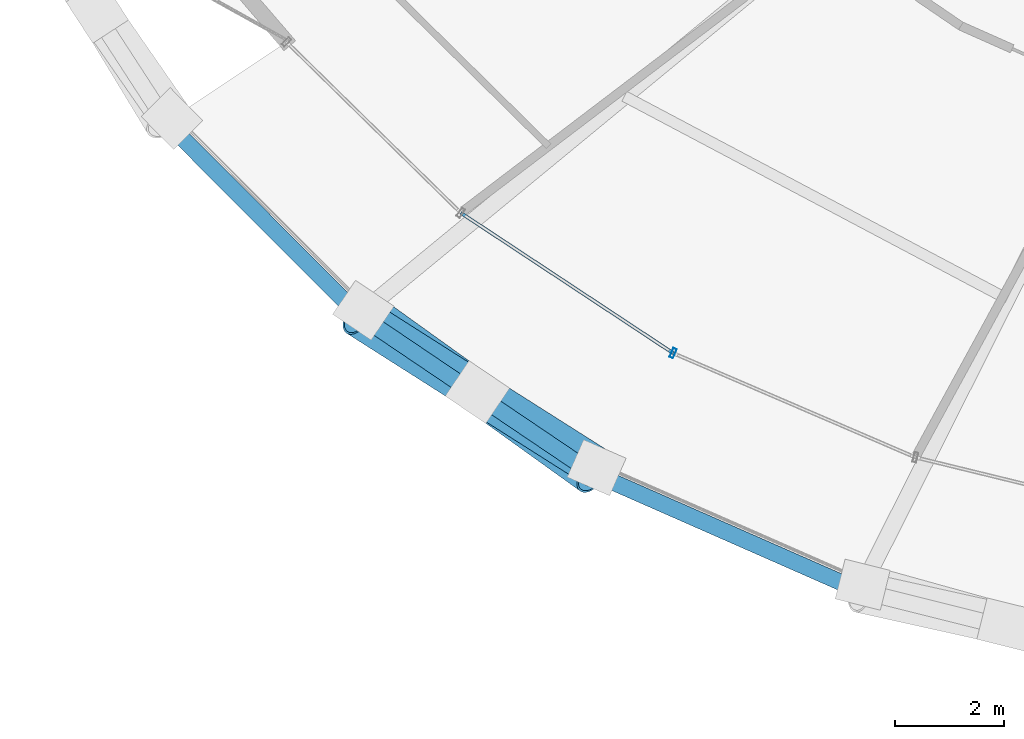
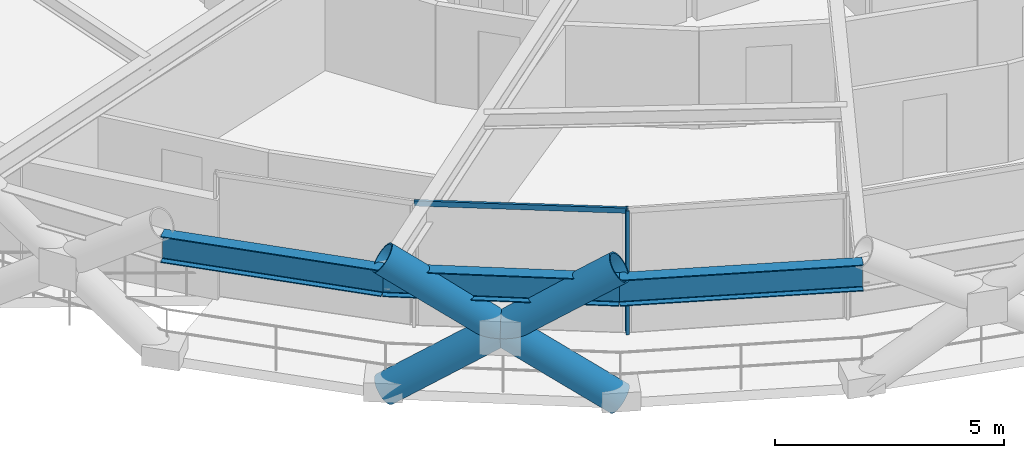
# One storey, part 1 of 19: 5 members, 3 beams, 1 element without a shape of its own.
"""IFC4 building model written with IfcOpenShell, lengths in metres."""

from ifc_helpers import new_model, si_unit, direction, frame, origin, origin_2d, place, context, subcontext, project, spatial, hollow_rectangle, hollow_circle, i_section, extrude, material, layer, layer_set, material_profile, profile_set, type_object, element, aggregate, save


model = new_model("IFC4")

# Units and contexts
model_context = context("Model", 3, precision=1e-05, world=origin(), true_north=direction((0.0, 1.0)))
body_context = subcontext(model_context, "Body", "Model", "MODEL_VIEW")
ifc_project = project(units=[si_unit("LENGTHUNIT", "METRE"), si_unit("AREAUNIT", "SQUARE_METRE"), si_unit("VOLUMEUNIT", "CUBIC_METRE"), si_unit("PLANEANGLEUNIT", "RADIAN"), si_unit("MASSUNIT", "GRAM", prefix="KILO")], contexts=[model_context])

# Site, building, storey
site_placement = place(None, origin())
site = spatial("IfcSite", under=ifc_project, at=site_placement, CompositionType="ELEMENT")
building_placement = place(site_placement, origin())
building = spatial("IfcBuilding", under=site, at=building_placement, Name="Veldorina Hangang Commons", CompositionType="ELEMENT")
storey_placement = place(building_placement, frame((0.0, 0.0, 44.800048828125)))
storey = spatial("IfcBuildingStorey", under=building, at=storey_placement, Name="L10", CompositionType="ELEMENT", Elevation=44.800048828125)

# Beams
ifc_material_1 = material(Name="Steel SM460-TMC", Category="steel")
ifc_material_profile_1 = material_profile(ifc_material_1, i_section(OverallWidth=0.300048828125, OverallDepth=0.699951171875, WebThickness=0.012939453125, FlangeThickness=0.02392578125, FilletRadius=0.02197265625, at=origin_2d()), Name="H-700x300x13x24")
ifc_profile_set_1 = profile_set([ifc_material_profile_1], Name="Steel SM460-TMC")
beam_type = type_object("IfcBeamType", Name="BM-RB700", PredefinedType="BEAM", material=ifc_profile_set_1)
beam_1_placement = place(storey_placement, frame((8.49169921875, 11.0703125, 2.989990234375), z_axis=(0.706027455436, -0.708184461966, 0.0), x_axis=(0.708184461966, 0.706027455436, 0.0)))
element("IfcBeam", 1, at=beam_1_placement, inside=storey, type_object=beam_type, Name="L10 perimeter hoop ring beam 19", PredefinedType="BEAM", context=body_context, shape_type="SweptSolid", body=[
    extrude(i_section(OverallWidth=0.300048828125, OverallDepth=0.699951171875, WebThickness=0.012939453125, FlangeThickness=0.02392578125, FilletRadius=0.02197265625, at=origin_2d()), origin(), (0.0, 0.0, 1.0), 4.980224609375),
])
beam_2_placement = place(storey_placement, frame((12.0078125, 7.54345703125, 2.989990234375), z_axis=(0.828657041131, -0.559756650861, 0.0), x_axis=(0.559756650861, 0.828657041131, 0.0)))
element("IfcBeam", 2, at=beam_2_placement, inside=storey, type_object=beam_type, Name="L10 perimeter hoop ring beam 20", PredefinedType="BEAM", context=body_context, shape_type="SweptSolid", body=[
    extrude(i_section(OverallWidth=0.300048828125, OverallDepth=0.699951171875, WebThickness=0.012939453125, FlangeThickness=0.02392578125, FilletRadius=0.02197265625, at=origin_2d()), origin(), (0.0, 0.0, 1.0), 5.170654296875),
])
beam_3_placement = place(storey_placement, frame((16.29248046875, 4.649169921875, 2.989990234375), z_axis=(0.915319077128, -0.402729421628, 0.0), x_axis=(0.402729421628, 0.915319077128, 0.0)))
element("IfcBeam", 3, at=beam_3_placement, inside=storey, type_object=beam_type, Name="L10 perimeter hoop ring beam 21", PredefinedType="BEAM", context=body_context, shape_type="SweptSolid", body=[
    extrude(i_section(OverallWidth=0.300048828125, OverallDepth=0.699951171875, WebThickness=0.012939453125, FlangeThickness=0.02392578125, FilletRadius=0.02197265625, at=origin_2d()), origin(), (0.0, 0.0, 1.0), 5.340087890625),
])

# Curtain wall, members
ifc_material_2 = material(Name="Glass Low-E Triple IGU", Category="glass")
ifc_layer = layer(ifc_material_2, 0.179931640625)
ifc_layer_set = layer_set([ifc_layer], Name="Glass Low-E Triple IGU")
curtain_wall_type = type_object("IfcCurtainWallType", Name="CW-SYS-Z1", PredefinedType="NOTDEFINED", material=ifc_layer_set)
curtain_wall_placement = place(storey_placement, origin())
curtain_wall = element("IfcCurtainWall", 4, at=curtain_wall_placement, inside=storey, type_object=curtain_wall_type, Name="L10 unitised curtain wall CW-L10-R1", PredefinedType="NOTDEFINED")
ifc_material_3 = material(Name="Aluminium Anodized AA6063-T6", Category="aluminium")
ifc_material_profile_2 = material_profile(ifc_material_3, hollow_rectangle(XDim=0.070068359375, YDim=0.179931640625, WallThickness=0.00390625, at=origin_2d()), Name="ALU-RHS-180x70x4")
ifc_profile_set_2 = profile_set([ifc_material_profile_2], Name="Aluminium Anodized AA6063-T6")
member_type_1 = type_object("IfcMemberType", Name="CW-MUL-180", PredefinedType="MULLION", material=ifc_profile_set_2)
member_1_placement = place(storey_placement, frame((17.76025390625, 6.84619140625, 0.0), z_axis=(0.0, 0.0, 1.0), x_axis=(0.918584396813, -0.395224880204, 0.0)))
member_1 = element("IfcMember", 5, at=member_1_placement, type_object=member_type_1, Name="CW-L10-R1 vertical mullion 3", PredefinedType="MULLION", context=body_context, shape_type="SweptSolid", body=[
    extrude(hollow_rectangle(XDim=0.070068359375, YDim=0.179931640625, WallThickness=0.00390625, at=origin_2d()), origin(), (0.0, 0.0, 1.0), 3.300048828125),
])
ifc_material_profile_3 = material_profile(ifc_material_3, hollow_rectangle(XDim=0.06005859375, YDim=0.139892578125, WallThickness=0.00341796875, at=origin_2d()), Name="ALU-RHS-140x60x3.5")
ifc_profile_set_3 = profile_set([ifc_material_profile_3], Name="Aluminium Anodized AA6063-T6")
member_type_2 = type_object("IfcMemberType", Name="CW-TRN-140", PredefinedType="USERDEFINED", material=ifc_profile_set_3)
member_2_placement = place(storey_placement, frame((13.876220703125, 9.411865234375, 3.260009765625), z_axis=(0.834390884236, -0.55117316, 0.0), x_axis=(0.55117316, 0.834390884236, 0.0)))
member_2 = element("IfcMember", 6, at=member_2_placement, type_object=member_type_2, Name="CW-L10-R1 facet 2 transom 1", ObjectType="TRANSOM", PredefinedType="USERDEFINED", context=body_context, shape_type="SweptSolid", body=[
    extrude(hollow_rectangle(XDim=0.06005859375, YDim=0.139892578125, WallThickness=0.00341796875, at=origin_2d()), origin(), (0.0, 0.0, 1.0), 4.655029296875),
])
aggregate(curtain_wall, [member_1, member_2])

# Members
ifc_material_profile_4 = material_profile(ifc_material_1, hollow_circle(Radius=0.375, WallThickness=0.035888671875, at=origin_2d()), Name="CHS-750x36")
ifc_profile_set_4 = profile_set([ifc_material_profile_4], Name="Steel SM460-TMC")
member_type_3 = type_object("IfcMemberType", Name="DG-CHS750", PredefinedType="BRACE", material=ifc_profile_set_4)
member_3_placement = place(storey_placement, frame((12.094482421875, 7.6298828125, 0.0), z_axis=(0.665952245182, -0.477723007484, 0.572964514833), x_axis=(0.582887460589, 0.812552895686, 0.0)))
element("IfcMember", 7, at=member_3_placement, inside=storey, type_object=member_type_3, Name="L10 continuous perimeter diagrid brace 20", PredefinedType="BRACE", context=body_context, shape_type="SweptSolid", body=[
    extrude(hollow_circle(Radius=0.375, WallThickness=0.035888671875, at=origin_2d()), origin(), (0.0, 0.0, 1.0), 6.282958984375),
])
member_4_placement = place(storey_placement, frame((16.3603515625, 4.750732421875, 0.0), z_axis=(-0.693300911079, 0.439758407196, 0.570917148102), x_axis=(-0.535632513689, -0.844451188808, 0.0)))
element("IfcMember", 8, at=member_4_placement, inside=storey, type_object=member_type_3, Name="L10 split perimeter diagrid lower brace 21", PredefinedType="BRACE", context=body_context, shape_type="SweptSolid", body=[
    extrude(hollow_circle(Radius=0.375, WallThickness=0.035888671875, at=origin_2d()), origin(), (0.0, 0.0, 1.0), 3.14404296875),
])
member_5_placement = place(storey_placement, frame((14.1806640625, 6.13330078125, 1.794921875), z_axis=(-0.692846732288, 0.440481248437, 0.570911267478), x_axis=(-0.536510273207, -0.843893788781, 0.0)))
element("IfcMember", 9, at=member_5_placement, inside=storey, type_object=member_type_3, Name="L10 split perimeter diagrid upper brace 21", PredefinedType="BRACE", context=body_context, shape_type="SweptSolid", body=[
    extrude(hollow_circle(Radius=0.375, WallThickness=0.035888671875, at=origin_2d()), origin(), (0.0, 0.0, 1.0), 3.161376953125),
])

save(model, "model.ifc")
